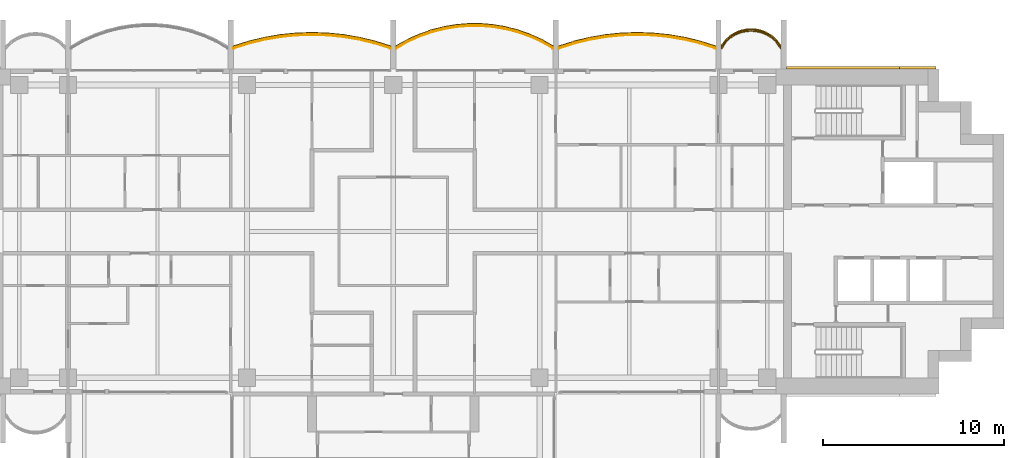
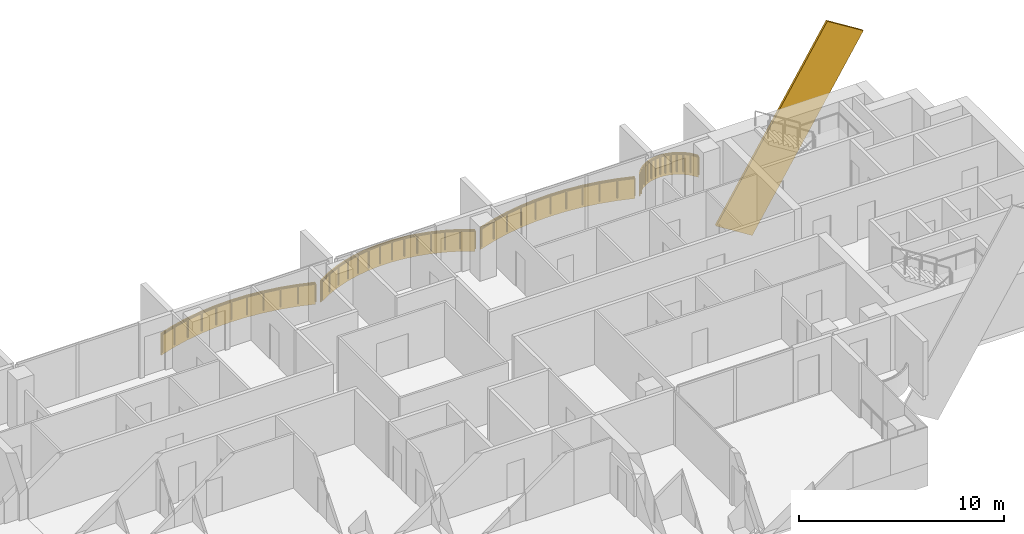
# One storey, part 17 of 17: 5 coverings, 4 railings.
"""IFC4 building model written with IfcOpenShell, lengths in metres."""

from ifc_helpers import new_model, si_unit, direction, frame, origin, origin_2d, place, context, subcontext, project, spatial, polyline, rectangle, outline, extrude, material, layer, layer_set, material_profile, profile_set, type_object, element, save


model = new_model("IFC4")

# Units and contexts
model_context = context("Model", 3, precision=1e-05, world=origin(), true_north=direction((0.0, 1.0)))
body_context = subcontext(model_context, "Body", "Model", "MODEL_VIEW")
ifc_project = project(units=[si_unit("LENGTHUNIT", "METRE"), si_unit("AREAUNIT", "SQUARE_METRE"), si_unit("VOLUMEUNIT", "CUBIC_METRE"), si_unit("PLANEANGLEUNIT", "RADIAN"), si_unit("MASSUNIT", "GRAM", prefix="KILO")], contexts=[model_context])

# Site, building, storey
site_placement = place(None, origin())
site = spatial("IfcSite", under=ifc_project, at=site_placement, CompositionType="ELEMENT")
building_placement = place(site_placement, origin())
building = spatial("IfcBuilding", under=site, at=building_placement, Name="Perihelion Cross Residences", CompositionType="ELEMENT")
storey_placement = place(building_placement, frame((0.0, 0.0, 198.10009765625)))
storey = spatial("IfcBuildingStorey", under=building, at=storey_placement, Name="L49", CompositionType="ELEMENT", Elevation=198.10009765625)

# Coverings
ifc_material_1 = material(Name="Bronze anodised aluminium", Category="aluminium")
ifc_layer = layer(ifc_material_1, 0.070068359375)
ifc_layer_set = layer_set([ifc_layer], Name="Balcony fascia 1300")
covering_type_1 = type_object("IfcCoveringType", Name="Balcony fascia 1300", PredefinedType="CLADDING", material=ifc_layer_set)
covering_1_placement = place(storey_placement, frame((0.0, 0.0, -0.2001953125)))
element("IfcCovering", 1, at=covering_1_placement, inside=storey, type_object=covering_type_1, Name="Fascia BF1 L49 east side north bay 1", PredefinedType="CLADDING", context=body_context, shape_type="SweptSolid", body=[
    extrude(outline(polyline([(21.226318359375, 10.616455078125), (20.94091796875, 10.86328125), (20.655517578125, 11.031494140625), (20.370361328125, 11.142578125), (20.085205078125, 11.206298828125), (19.800048828125, 11.22705078125), (19.514892578125, 11.206298828125), (19.229736328125, 11.142578125), (18.9443359375, 11.031494140625), (18.6591796875, 10.86328125), (18.373779296875, 10.616455078125), (18.14990234375, 10.31689453125), (18.14990234375, 10.199951171875), (18.425048828125, 10.568603515625), (18.699951171875, 10.806396484375), (18.97509765625, 10.96875), (19.25, 11.07568359375), (19.52490234375, 11.136962890625), (19.800048828125, 11.156982421875), (20.074951171875, 11.136962890625), (20.35009765625, 11.07568359375), (20.625, 10.96875), (20.89990234375, 10.806396484375), (21.175048828125, 10.568603515625), (21.449951171875, 10.199951171875), (21.449951171875, 10.31689453125), (21.226318359375, 10.616455078125)])), origin(), (0.0, 0.0, 1.0), 1.300048828125),
])
covering_2_placement = place(storey_placement, frame((0.0, 0.0, -0.2001953125)))
element("IfcCovering", 2, at=covering_2_placement, inside=storey, type_object=covering_type_1, Name="Fascia BF1 L49 east side north bay 2", PredefinedType="CLADDING", context=body_context, shape_type="SweptSolid", body=[
    extrude(outline(polyline([(16.998779296875, 10.542724609375), (16.1240234375, 10.753662109375), (15.249267578125, 10.90234375), (14.374755859375, 10.99072265625), (13.5, 11.02001953125), (12.625244140625, 10.99072265625), (11.750732421875, 10.90234375), (10.8759765625, 10.753662109375), (10.001220703125, 10.542724609375), (9.14990234375, 10.2734375), (9.14990234375, 10.199951171875), (10.02001953125, 10.47509765625), (10.889892578125, 10.68505859375), (11.760009765625, 10.8330078125), (12.6298828125, 10.9208984375), (13.5, 10.949951171875), (14.3701171875, 10.9208984375), (15.239990234375, 10.8330078125), (16.110107421875, 10.68505859375), (16.97998046875, 10.47509765625), (17.85009765625, 10.199951171875), (17.85009765625, 10.2734375), (16.998779296875, 10.542724609375)])), origin(), (0.0, 0.0, 1.0), 1.300048828125),
])
covering_3_placement = place(storey_placement, frame((0.0, 0.0, -0.2001953125)))
element("IfcCovering", 3, at=covering_3_placement, inside=storey, type_object=covering_type_1, Name="Fascia BF1 L49 north side east bay 1", PredefinedType="CLADDING", context=body_context, shape_type="SweptSolid", body=[
    extrude(outline(polyline([(8.212158203125, 10.63916015625), (7.537353515625, 10.941650390625), (6.8623046875, 11.175048828125), (6.1875, 11.345947265625), (5.512451171875, 11.457763671875), (4.83740234375, 11.51318359375), (4.16259765625, 11.51318359375), (3.487548828125, 11.457763671875), (2.8125, 11.345947265625), (2.1376953125, 11.175048828125), (1.462646484375, 10.941650390625), (0.787841796875, 10.63916015625), (0.14990234375, 10.2802734375), (0.14990234375, 10.199951171875), (0.8193359375, 10.57666015625), (1.488525390625, 10.87646484375), (2.15771484375, 11.108154296875), (2.826904296875, 11.27734375), (3.49609375, 11.38818359375), (4.165283203125, 11.443115234375), (4.834716796875, 11.443115234375), (5.50390625, 11.38818359375), (6.173095703125, 11.27734375), (6.84228515625, 11.108154296875), (7.511474609375, 10.87646484375), (8.1806640625, 10.57666015625), (8.85009765625, 10.199951171875), (8.85009765625, 10.2802734375), (8.212158203125, 10.63916015625)])), origin(), (0.0, 0.0, 1.0), 1.300048828125),
])
covering_4_placement = place(storey_placement, frame((0.0, 0.0, -0.2001953125)))
element("IfcCovering", 4, at=covering_4_placement, inside=storey, type_object=covering_type_1, Name="Fascia BF1 L49 north side east bay 2", PredefinedType="CLADDING", context=body_context, shape_type="SweptSolid", body=[
    extrude(outline(polyline([(-1.001220703125, 10.542724609375), (-1.8759765625, 10.753662109375), (-2.750732421875, 10.90234375), (-3.625244140625, 10.99072265625), (-4.5, 11.02001953125), (-5.374755859375, 10.99072265625), (-6.249267578125, 10.90234375), (-7.1240234375, 10.753662109375), (-7.998779296875, 10.542724609375), (-8.85009765625, 10.2734375), (-8.85009765625, 10.199951171875), (-7.97998046875, 10.47509765625), (-7.110107421875, 10.68505859375), (-6.239990234375, 10.8330078125), (-5.3701171875, 10.9208984375), (-4.5, 10.949951171875), (-3.6298828125, 10.9208984375), (-2.760009765625, 10.8330078125), (-1.889892578125, 10.68505859375), (-1.02001953125, 10.47509765625), (-0.14990234375, 10.199951171875), (-0.14990234375, 10.2734375), (-1.001220703125, 10.542724609375)])), origin(), (0.0, 0.0, 1.0), 1.300048828125),
])

# Railings
ifc_material_2 = material(Name="Bronze anodised aluminium", Category="aluminium")
railing_type = type_object("IfcRailingType", Name="Balcony guard 1100", PredefinedType="GUARDRAIL", material=ifc_material_2)
railing_1_placement = place(storey_placement, frame((21.425048828125, 10.139892578125, 0.0)))
element("IfcRailing", 5, at=railing_1_placement, inside=storey, type_object=railing_type, Name="Guard GU1 L49 east side north bay 1 balcony", PredefinedType="GUARDRAIL", context=body_context, shape_type="SweptSolid", body=[
    extrude(rectangle(XDim=0.048095703125, YDim=0.048095703125, at=origin_2d()), frame((0.0, 0.0, 1.076171875), z_axis=(-0.561260132269, 0.827639452857, 0.0), x_axis=(-0.827639452857, -0.561260132269, 0.0)), (0.0, 0.0, 1.0), 0.4453125),
    extrude(rectangle(XDim=0.048095703125, YDim=0.048095703125, at=origin_2d()), frame((-0.25, 0.36865234375, 1.076171875), z_axis=(-0.756596535164, 0.653882009982, 0.0), x_axis=(-0.653882009982, -0.756596535164, 0.0)), (0.0, 0.0, 1.0), 0.36376953125),
    extrude(rectangle(XDim=0.048095703125, YDim=0.048095703125, at=origin_2d()), frame((-0.525146484375, 0.6064453125, 1.076171875), z_axis=(-0.861048292884, 0.508523192511, 0.0), x_axis=(-0.508523192511, -0.861048292884, 0.0)), (0.0, 0.0, 1.0), 0.3193359375),
    extrude(rectangle(XDim=0.048095703125, YDim=0.048095703125, at=origin_2d()), frame((-0.800048828125, 0.768798828125, 1.076171875), z_axis=(-0.931973602183, 0.362526143656, 0.0), x_axis=(-0.362526143656, -0.931973602183, 0.0)), (0.0, 0.0, 1.0), 0.294921875),
    extrude(rectangle(XDim=0.048095703125, YDim=0.048095703125, at=origin_2d()), frame((-1.074951171875, 0.875732421875, 1.076171875), z_axis=(-0.976085059389, 0.21738895289, 0.0), x_axis=(-0.21738895289, -0.976085059389, 0.0)), (0.0, 0.0, 1.0), 0.281982421875),
    extrude(rectangle(XDim=0.048095703125, YDim=0.048095703125, at=origin_2d()), frame((-1.35009765625, 0.93701171875, 1.076171875), z_axis=(-0.997358821833, 0.072631814734, 0.0), x_axis=(-0.072631814734, -0.997358821833, 0.0)), (0.0, 0.0, 1.0), 0.275634765625),
    extrude(rectangle(XDim=0.048095703125, YDim=0.048095703125, at=origin_2d()), frame((-1.625, 0.95703125, 1.076171875), z_axis=(-0.997363488337, -0.072567707226, 0.0), x_axis=(0.072567707226, -0.997363488337, 0.0)), (0.0, 0.0, 1.0), 0.27587890625),
    extrude(rectangle(XDim=0.048095703125, YDim=0.048095703125, at=origin_2d()), frame((-1.900146484375, 0.93701171875, 1.076171875), z_axis=(-0.976044077717, -0.217572880557, 0.0), x_axis=(0.217572880557, -0.976044077717, 0.0)), (0.0, 0.0, 1.0), 0.28173828125),
    extrude(rectangle(XDim=0.048095703125, YDim=0.048095703125, at=origin_2d()), frame((-2.175048828125, 0.875732421875, 1.076171875), z_axis=(-0.931973602183, -0.362526143656, 0.0), x_axis=(0.362526143656, -0.931973602183, 0.0)), (0.0, 0.0, 1.0), 0.294921875),
    extrude(rectangle(XDim=0.048095703125, YDim=0.048095703125, at=origin_2d()), frame((-2.449951171875, 0.768798828125, 1.076171875), z_axis=(-0.861245845072, -0.508188542123, 0.0), x_axis=(0.508188542123, -0.861245845072, 0.0)), (0.0, 0.0, 1.0), 0.319580078125),
    extrude(rectangle(XDim=0.048095703125, YDim=0.048095703125, at=origin_2d()), frame((-2.72509765625, 0.6064453125, 1.076171875), z_axis=(-0.756309278473, -0.654214242658, 0.0), x_axis=(0.654214242658, -0.756309278473, 0.0)), (0.0, 0.0, 1.0), 0.363525390625),
    extrude(rectangle(XDim=0.048095703125, YDim=0.048095703125, at=origin_2d()), frame((-3.0, 0.36865234375, 1.076171875), z_axis=(-0.561260132269, -0.827639452857, 0.0), x_axis=(0.827639452857, -0.561260132269, 0.0)), (0.0, 0.0, 1.0), 0.4453125),
    extrude(rectangle(XDim=0.0419921875, YDim=0.0419921875, at=origin_2d()), origin(), (0.0, 0.0, 1.0), 1.052001953125),
    extrude(rectangle(XDim=0.0419921875, YDim=0.0419921875, at=origin_2d()), frame((-0.25, 0.36865234375, 0.0)), (0.0, 0.0, 1.0), 1.052001953125),
    extrude(rectangle(XDim=0.0419921875, YDim=0.0419921875, at=origin_2d()), frame((-0.525146484375, 0.6064453125, 0.0)), (0.0, 0.0, 1.0), 1.052001953125),
    extrude(rectangle(XDim=0.0419921875, YDim=0.0419921875, at=origin_2d()), frame((-0.800048828125, 0.768798828125, 0.0)), (0.0, 0.0, 1.0), 1.052001953125),
    extrude(rectangle(XDim=0.0419921875, YDim=0.0419921875, at=origin_2d()), frame((-1.074951171875, 0.875732421875, 0.0)), (0.0, 0.0, 1.0), 1.052001953125),
    extrude(rectangle(XDim=0.0419921875, YDim=0.0419921875, at=origin_2d()), frame((-1.35009765625, 0.93701171875, 0.0)), (0.0, 0.0, 1.0), 1.052001953125),
    extrude(rectangle(XDim=0.0419921875, YDim=0.0419921875, at=origin_2d()), frame((-1.625, 0.95703125, 0.0)), (0.0, 0.0, 1.0), 1.052001953125),
    extrude(rectangle(XDim=0.0419921875, YDim=0.0419921875, at=origin_2d()), frame((-1.900146484375, 0.93701171875, 0.0)), (0.0, 0.0, 1.0), 1.052001953125),
    extrude(rectangle(XDim=0.0419921875, YDim=0.0419921875, at=origin_2d()), frame((-2.175048828125, 0.875732421875, 0.0)), (0.0, 0.0, 1.0), 1.052001953125),
    extrude(rectangle(XDim=0.0419921875, YDim=0.0419921875, at=origin_2d()), frame((-2.449951171875, 0.768798828125, 0.0)), (0.0, 0.0, 1.0), 1.052001953125),
    extrude(rectangle(XDim=0.0419921875, YDim=0.0419921875, at=origin_2d()), frame((-2.72509765625, 0.6064453125, 0.0)), (0.0, 0.0, 1.0), 1.052001953125),
    extrude(rectangle(XDim=0.0419921875, YDim=0.0419921875, at=origin_2d()), frame((-3.0, 0.36865234375, 0.0)), (0.0, 0.0, 1.0), 1.052001953125),
    extrude(rectangle(XDim=0.0419921875, YDim=0.0419921875, at=origin_2d()), frame((-3.25, 0.0, 0.0)), (0.0, 0.0, 1.0), 1.052001953125),
])
railing_2_placement = place(storey_placement, frame((17.824951171875, 10.139892578125, 0.0)))
element("IfcRailing", 6, at=railing_2_placement, inside=storey, type_object=railing_type, Name="Guard GU1 L49 east side north bay 2 balcony", PredefinedType="GUARDRAIL", context=body_context, shape_type="SweptSolid", body=[
    extrude(rectangle(XDim=0.048095703125, YDim=0.048095703125, at=origin_2d()), frame((0.0, 0.0, 1.076171875), z_axis=(-0.950777354264, 0.30987484993, 0.0), x_axis=(-0.30987484993, -0.950777354264, 0.0)), (0.0, 0.0, 1.0), 0.888671875),
    extrude(rectangle(XDim=0.048095703125, YDim=0.048095703125, at=origin_2d()), frame((-0.844970703125, 0.275390625, 1.076171875), z_axis=(-0.972146551129, 0.234373810671, 0.0), x_axis=(-0.234373810671, -0.972146551129, 0.0)), (0.0, 0.0, 1.0), 0.894775390625),
    extrude(rectangle(XDim=0.048095703125, YDim=0.048095703125, at=origin_2d()), frame((-1.71484375, 0.485107421875, 1.076171875), z_axis=(-0.985850361727, 0.167627755108, 0.0), x_axis=(-0.167627755108, -0.985850361727, 0.0)), (0.0, 0.0, 1.0), 0.882568359375),
    extrude(rectangle(XDim=0.048095703125, YDim=0.048095703125, at=origin_2d()), frame((-2.5849609375, 0.633056640625, 1.076171875), z_axis=(-0.994934368303, 0.100526627165, 0.0), x_axis=(-0.100526627165, -0.994934368303, 0.0)), (0.0, 0.0, 1.0), 0.874267578125),
    extrude(rectangle(XDim=0.048095703125, YDim=0.048095703125, at=origin_2d()), frame((-3.454833984375, 0.720947265625, 1.076171875), z_axis=(-0.999443037968, 0.0333708534, 0.0), x_axis=(-0.0333708534, -0.999443037968, 0.0)), (0.0, 0.0, 1.0), 0.87060546875),
    extrude(rectangle(XDim=0.048095703125, YDim=0.048095703125, at=origin_2d()), frame((-4.324951171875, 0.75, 1.076171875), z_axis=(-0.999443037968, -0.0333708534, 0.0), x_axis=(0.0333708534, -0.999443037968, 0.0)), (0.0, 0.0, 1.0), 0.87060546875),
    extrude(rectangle(XDim=0.048095703125, YDim=0.048095703125, at=origin_2d()), frame((-5.195068359375, 0.720947265625, 1.076171875), z_axis=(-0.994934368303, -0.100526627165, 0.0), x_axis=(0.100526627165, -0.994934368303, 0.0)), (0.0, 0.0, 1.0), 0.874267578125),
    extrude(rectangle(XDim=0.048095703125, YDim=0.048095703125, at=origin_2d()), frame((-6.06494140625, 0.633056640625, 1.076171875), z_axis=(-0.985850361727, -0.167627755108, 0.0), x_axis=(0.167627755108, -0.985850361727, 0.0)), (0.0, 0.0, 1.0), 0.882568359375),
    extrude(rectangle(XDim=0.048095703125, YDim=0.048095703125, at=origin_2d()), frame((-6.93505859375, 0.485107421875, 1.076171875), z_axis=(-0.972146551129, -0.234373810671, 0.0), x_axis=(0.234373810671, -0.972146551129, 0.0)), (0.0, 0.0, 1.0), 0.894775390625),
    extrude(rectangle(XDim=0.048095703125, YDim=0.048095703125, at=origin_2d()), frame((-7.804931640625, 0.275390625, 1.076171875), z_axis=(-0.950777354264, -0.30987484993, 0.0), x_axis=(0.30987484993, -0.950777354264, 0.0)), (0.0, 0.0, 1.0), 0.888671875),
    extrude(rectangle(XDim=0.0419921875, YDim=0.0419921875, at=origin_2d()), origin(), (0.0, 0.0, 1.0), 1.052001953125),
    extrude(rectangle(XDim=0.0419921875, YDim=0.0419921875, at=origin_2d()), frame((-0.844970703125, 0.275390625, 0.0)), (0.0, 0.0, 1.0), 1.052001953125),
    extrude(rectangle(XDim=0.0419921875, YDim=0.0419921875, at=origin_2d()), frame((-1.71484375, 0.485107421875, 0.0)), (0.0, 0.0, 1.0), 1.052001953125),
    extrude(rectangle(XDim=0.0419921875, YDim=0.0419921875, at=origin_2d()), frame((-2.5849609375, 0.633056640625, 0.0)), (0.0, 0.0, 1.0), 1.052001953125),
    extrude(rectangle(XDim=0.0419921875, YDim=0.0419921875, at=origin_2d()), frame((-3.454833984375, 0.720947265625, 0.0)), (0.0, 0.0, 1.0), 1.052001953125),
    extrude(rectangle(XDim=0.0419921875, YDim=0.0419921875, at=origin_2d()), frame((-4.324951171875, 0.75, 0.0)), (0.0, 0.0, 1.0), 1.052001953125),
    extrude(rectangle(XDim=0.0419921875, YDim=0.0419921875, at=origin_2d()), frame((-5.195068359375, 0.720947265625, 0.0)), (0.0, 0.0, 1.0), 1.052001953125),
    extrude(rectangle(XDim=0.0419921875, YDim=0.0419921875, at=origin_2d()), frame((-6.06494140625, 0.633056640625, 0.0)), (0.0, 0.0, 1.0), 1.052001953125),
    extrude(rectangle(XDim=0.0419921875, YDim=0.0419921875, at=origin_2d()), frame((-6.93505859375, 0.485107421875, 0.0)), (0.0, 0.0, 1.0), 1.052001953125),
    extrude(rectangle(XDim=0.0419921875, YDim=0.0419921875, at=origin_2d()), frame((-7.804931640625, 0.275390625, 0.0)), (0.0, 0.0, 1.0), 1.052001953125),
    extrude(rectangle(XDim=0.0419921875, YDim=0.0419921875, at=origin_2d()), frame((-8.64990234375, 0.0, 0.0)), (0.0, 0.0, 1.0), 1.052001953125),
])
railing_3_placement = place(storey_placement, frame((8.824951171875, 10.139892578125, 0.0)))
element("IfcRailing", 7, at=railing_3_placement, inside=storey, type_object=railing_type, Name="Guard GU1 L49 north side east bay 1 balcony", PredefinedType="GUARDRAIL", context=body_context, shape_type="SweptSolid", body=[
    extrude(rectangle(XDim=0.048095703125, YDim=0.048095703125, at=origin_2d()), frame((0.0, 0.0, 1.076171875), z_axis=(-0.863125740505, 0.504989065305, 0.0), x_axis=(-0.504989065305, -0.863125740505, 0.0)), (0.0, 0.0, 1.0), 0.746337890625),
    extrude(rectangle(XDim=0.048095703125, YDim=0.048095703125, at=origin_2d()), frame((-0.644287109375, 0.376953125, 1.076171875), z_axis=(-0.912723499295, 0.408577794103, 0.0), x_axis=(-0.408577794103, -0.912723499295, 0.0)), (0.0, 0.0, 1.0), 0.733154296875),
    extrude(rectangle(XDim=0.048095703125, YDim=0.048095703125, at=origin_2d()), frame((-1.3134765625, 0.676513671875, 1.076171875), z_axis=(-0.944965577734, 0.327169767701, 0.0), x_axis=(-0.327169767701, -0.944965577734, 0.0)), (0.0, 0.0, 1.0), 0.708251953125),
    extrude(rectangle(XDim=0.048095703125, YDim=0.048095703125, at=origin_2d()), frame((-1.982666015625, 0.908203125, 1.076171875), z_axis=(-0.96949408574, 0.245114703181, 0.0), x_axis=(-0.245114703181, -0.96949408574, 0.0)), (0.0, 0.0, 1.0), 0.690185546875),
    extrude(rectangle(XDim=0.048095703125, YDim=0.048095703125, at=origin_2d()), frame((-2.65185546875, 1.077392578125, 1.076171875), z_axis=(-0.986500713816, 0.163756959061, 0.0), x_axis=(-0.163756959061, -0.986500713816, 0.0)), (0.0, 0.0, 1.0), 0.678466796875),
    extrude(rectangle(XDim=0.048095703125, YDim=0.048095703125, at=origin_2d()), frame((-3.321044921875, 1.1884765625, 1.076171875), z_axis=(-0.996677390684, 0.081450468994, 0.0), x_axis=(-0.081450468994, -0.996677390684, 0.0)), (0.0, 0.0, 1.0), 0.67138671875),
    extrude(rectangle(XDim=0.048095703125, YDim=0.048095703125, at=origin_2d()), frame((-3.990234375, 1.2431640625, 1.076171875), z_axis=(-1.0, 0.0, 0.0), x_axis=(0.0, -1.0, 0.0)), (0.0, 0.0, 1.0), 0.66943359375),
    extrude(rectangle(XDim=0.048095703125, YDim=0.048095703125, at=origin_2d()), frame((-4.65966796875, 1.2431640625, 1.076171875), z_axis=(-0.996677390684, -0.081450468994, 0.0), x_axis=(0.081450468994, -0.996677390684, 0.0)), (0.0, 0.0, 1.0), 0.67138671875),
    extrude(rectangle(XDim=0.048095703125, YDim=0.048095703125, at=origin_2d()), frame((-5.328857421875, 1.1884765625, 1.076171875), z_axis=(-0.986500713816, -0.163756959061, 0.0), x_axis=(0.163756959061, -0.986500713816, 0.0)), (0.0, 0.0, 1.0), 0.678466796875),
    extrude(rectangle(XDim=0.048095703125, YDim=0.048095703125, at=origin_2d()), frame((-5.998046875, 1.077392578125, 1.076171875), z_axis=(-0.96949408574, -0.245114703181, 0.0), x_axis=(0.245114703181, -0.96949408574, 0.0)), (0.0, 0.0, 1.0), 0.690185546875),
    extrude(rectangle(XDim=0.048095703125, YDim=0.048095703125, at=origin_2d()), frame((-6.667236328125, 0.908203125, 1.076171875), z_axis=(-0.944965577734, -0.327169767701, 0.0), x_axis=(0.327169767701, -0.944965577734, 0.0)), (0.0, 0.0, 1.0), 0.708251953125),
    extrude(rectangle(XDim=0.048095703125, YDim=0.048095703125, at=origin_2d()), frame((-7.33642578125, 0.676513671875, 1.076171875), z_axis=(-0.912723499295, -0.408577794103, 0.0), x_axis=(0.408577794103, -0.912723499295, 0.0)), (0.0, 0.0, 1.0), 0.733154296875),
    extrude(rectangle(XDim=0.048095703125, YDim=0.048095703125, at=origin_2d()), frame((-8.005615234375, 0.376953125, 1.076171875), z_axis=(-0.863125740505, -0.504989065305, 0.0), x_axis=(0.504989065305, -0.863125740505, 0.0)), (0.0, 0.0, 1.0), 0.746337890625),
    extrude(rectangle(XDim=0.0419921875, YDim=0.0419921875, at=origin_2d()), origin(), (0.0, 0.0, 1.0), 1.052001953125),
    extrude(rectangle(XDim=0.0419921875, YDim=0.0419921875, at=origin_2d()), frame((-0.644287109375, 0.376953125, 0.0)), (0.0, 0.0, 1.0), 1.052001953125),
    extrude(rectangle(XDim=0.0419921875, YDim=0.0419921875, at=origin_2d()), frame((-1.3134765625, 0.676513671875, 0.0)), (0.0, 0.0, 1.0), 1.052001953125),
    extrude(rectangle(XDim=0.0419921875, YDim=0.0419921875, at=origin_2d()), frame((-1.982666015625, 0.908203125, 0.0)), (0.0, 0.0, 1.0), 1.052001953125),
    extrude(rectangle(XDim=0.0419921875, YDim=0.0419921875, at=origin_2d()), frame((-2.65185546875, 1.077392578125, 0.0)), (0.0, 0.0, 1.0), 1.052001953125),
    extrude(rectangle(XDim=0.0419921875, YDim=0.0419921875, at=origin_2d()), frame((-3.321044921875, 1.1884765625, 0.0)), (0.0, 0.0, 1.0), 1.052001953125),
    extrude(rectangle(XDim=0.0419921875, YDim=0.0419921875, at=origin_2d()), frame((-3.990234375, 1.2431640625, 0.0)), (0.0, 0.0, 1.0), 1.052001953125),
    extrude(rectangle(XDim=0.0419921875, YDim=0.0419921875, at=origin_2d()), frame((-4.65966796875, 1.2431640625, 0.0)), (0.0, 0.0, 1.0), 1.052001953125),
    extrude(rectangle(XDim=0.0419921875, YDim=0.0419921875, at=origin_2d()), frame((-5.328857421875, 1.1884765625, 0.0)), (0.0, 0.0, 1.0), 1.052001953125),
    extrude(rectangle(XDim=0.0419921875, YDim=0.0419921875, at=origin_2d()), frame((-5.998046875, 1.077392578125, 0.0)), (0.0, 0.0, 1.0), 1.052001953125),
    extrude(rectangle(XDim=0.0419921875, YDim=0.0419921875, at=origin_2d()), frame((-6.667236328125, 0.908203125, 0.0)), (0.0, 0.0, 1.0), 1.052001953125),
    extrude(rectangle(XDim=0.0419921875, YDim=0.0419921875, at=origin_2d()), frame((-7.33642578125, 0.676513671875, 0.0)), (0.0, 0.0, 1.0), 1.052001953125),
    extrude(rectangle(XDim=0.0419921875, YDim=0.0419921875, at=origin_2d()), frame((-8.005615234375, 0.376953125, 0.0)), (0.0, 0.0, 1.0), 1.052001953125),
    extrude(rectangle(XDim=0.0419921875, YDim=0.0419921875, at=origin_2d()), frame((-8.64990234375, 0.0, 0.0)), (0.0, 0.0, 1.0), 1.052001953125),
])
railing_4_placement = place(storey_placement, frame((-0.175048828125, 10.139892578125, 0.0)))
element("IfcRailing", 8, at=railing_4_placement, inside=storey, type_object=railing_type, Name="Guard GU1 L49 north side east bay 2 balcony", PredefinedType="GUARDRAIL", context=body_context, shape_type="SweptSolid", body=[
    extrude(rectangle(XDim=0.048095703125, YDim=0.048095703125, at=origin_2d()), frame((0.0, 0.0, 1.076171875), z_axis=(-0.950777354264, 0.30987484993, 0.0), x_axis=(-0.30987484993, -0.950777354264, 0.0)), (0.0, 0.0, 1.0), 0.888671875),
    extrude(rectangle(XDim=0.048095703125, YDim=0.048095703125, at=origin_2d()), frame((-0.844970703125, 0.275390625, 1.076171875), z_axis=(-0.972146551129, 0.234373810671, 0.0), x_axis=(-0.234373810671, -0.972146551129, 0.0)), (0.0, 0.0, 1.0), 0.894775390625),
    extrude(rectangle(XDim=0.048095703125, YDim=0.048095703125, at=origin_2d()), frame((-1.71484375, 0.485107421875, 1.076171875), z_axis=(-0.985850361727, 0.167627755108, 0.0), x_axis=(-0.167627755108, -0.985850361727, 0.0)), (0.0, 0.0, 1.0), 0.882568359375),
    extrude(rectangle(XDim=0.048095703125, YDim=0.048095703125, at=origin_2d()), frame((-2.5849609375, 0.633056640625, 1.076171875), z_axis=(-0.994934368303, 0.100526627165, 0.0), x_axis=(-0.100526627165, -0.994934368303, 0.0)), (0.0, 0.0, 1.0), 0.874267578125),
    extrude(rectangle(XDim=0.048095703125, YDim=0.048095703125, at=origin_2d()), frame((-3.454833984375, 0.720947265625, 1.076171875), z_axis=(-0.999443037968, 0.0333708534, 0.0), x_axis=(-0.0333708534, -0.999443037968, 0.0)), (0.0, 0.0, 1.0), 0.87060546875),
    extrude(rectangle(XDim=0.048095703125, YDim=0.048095703125, at=origin_2d()), frame((-4.324951171875, 0.75, 1.076171875), z_axis=(-0.999443037968, -0.0333708534, 0.0), x_axis=(0.0333708534, -0.999443037968, 0.0)), (0.0, 0.0, 1.0), 0.87060546875),
    extrude(rectangle(XDim=0.048095703125, YDim=0.048095703125, at=origin_2d()), frame((-5.195068359375, 0.720947265625, 1.076171875), z_axis=(-0.994934368303, -0.100526627165, 0.0), x_axis=(0.100526627165, -0.994934368303, 0.0)), (0.0, 0.0, 1.0), 0.874267578125),
    extrude(rectangle(XDim=0.048095703125, YDim=0.048095703125, at=origin_2d()), frame((-6.06494140625, 0.633056640625, 1.076171875), z_axis=(-0.985850361727, -0.167627755108, 0.0), x_axis=(0.167627755108, -0.985850361727, 0.0)), (0.0, 0.0, 1.0), 0.882568359375),
    extrude(rectangle(XDim=0.048095703125, YDim=0.048095703125, at=origin_2d()), frame((-6.93505859375, 0.485107421875, 1.076171875), z_axis=(-0.972146551129, -0.234373810671, 0.0), x_axis=(0.234373810671, -0.972146551129, 0.0)), (0.0, 0.0, 1.0), 0.894775390625),
    extrude(rectangle(XDim=0.048095703125, YDim=0.048095703125, at=origin_2d()), frame((-7.804931640625, 0.275390625, 1.076171875), z_axis=(-0.950777354264, -0.30987484993, 0.0), x_axis=(0.30987484993, -0.950777354264, 0.0)), (0.0, 0.0, 1.0), 0.888671875),
    extrude(rectangle(XDim=0.0419921875, YDim=0.0419921875, at=origin_2d()), origin(), (0.0, 0.0, 1.0), 1.052001953125),
    extrude(rectangle(XDim=0.0419921875, YDim=0.0419921875, at=origin_2d()), frame((-0.844970703125, 0.275390625, 0.0)), (0.0, 0.0, 1.0), 1.052001953125),
    extrude(rectangle(XDim=0.0419921875, YDim=0.0419921875, at=origin_2d()), frame((-1.71484375, 0.485107421875, 0.0)), (0.0, 0.0, 1.0), 1.052001953125),
    extrude(rectangle(XDim=0.0419921875, YDim=0.0419921875, at=origin_2d()), frame((-2.5849609375, 0.633056640625, 0.0)), (0.0, 0.0, 1.0), 1.052001953125),
    extrude(rectangle(XDim=0.0419921875, YDim=0.0419921875, at=origin_2d()), frame((-3.454833984375, 0.720947265625, 0.0)), (0.0, 0.0, 1.0), 1.052001953125),
    extrude(rectangle(XDim=0.0419921875, YDim=0.0419921875, at=origin_2d()), frame((-4.324951171875, 0.75, 0.0)), (0.0, 0.0, 1.0), 1.052001953125),
    extrude(rectangle(XDim=0.0419921875, YDim=0.0419921875, at=origin_2d()), frame((-5.195068359375, 0.720947265625, 0.0)), (0.0, 0.0, 1.0), 1.052001953125),
    extrude(rectangle(XDim=0.0419921875, YDim=0.0419921875, at=origin_2d()), frame((-6.06494140625, 0.633056640625, 0.0)), (0.0, 0.0, 1.0), 1.052001953125),
    extrude(rectangle(XDim=0.0419921875, YDim=0.0419921875, at=origin_2d()), frame((-6.93505859375, 0.485107421875, 0.0)), (0.0, 0.0, 1.0), 1.052001953125),
    extrude(rectangle(XDim=0.0419921875, YDim=0.0419921875, at=origin_2d()), frame((-7.804931640625, 0.275390625, 0.0)), (0.0, 0.0, 1.0), 1.052001953125),
    extrude(rectangle(XDim=0.0419921875, YDim=0.0419921875, at=origin_2d()), frame((-8.64990234375, 0.0, 0.0)), (0.0, 0.0, 1.0), 1.052001953125),
])

# Covering
ifc_material_3 = material(Name="Bronze anodised aluminium", Category="aluminium")
ifc_material_profile = material_profile(ifc_material_3, rectangle(XDim=0.125, YDim=2.39990234375, at=origin_2d()), Name="Bronze cladding band 2400")
ifc_profile_set = profile_set([ifc_material_profile], Name="Bronze anodised aluminium")
covering_type_2 = type_object("IfcCoveringType", Name="Bronze cladding band 2400", PredefinedType="CLADDING", material=ifc_profile_set)
covering_5_placement = place(storey_placement, frame((22.767578125, 9.0625, -3.121826171875), z_axis=(0.529924684379, 0.0, 0.848044709249), x_axis=(0.0, 1.0, 0.0)))
element("IfcCovering", 9, at=covering_5_placement, inside=storey, type_object=covering_type_2, Name="Core cladding band, east core", PredefinedType="CLADDING", context=body_context, shape_type="SweptSolid", body=[
    extrude(rectangle(XDim=0.125, YDim=2.39990234375, at=origin_2d()), origin(), (0.0, 0.0, 1.0), 11.82177734375),
])

save(model, "model.ifc")
